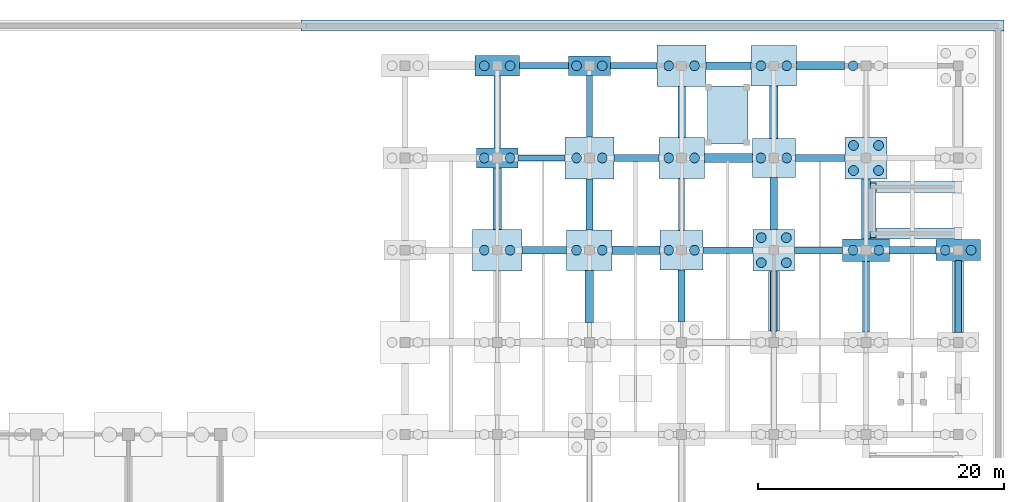
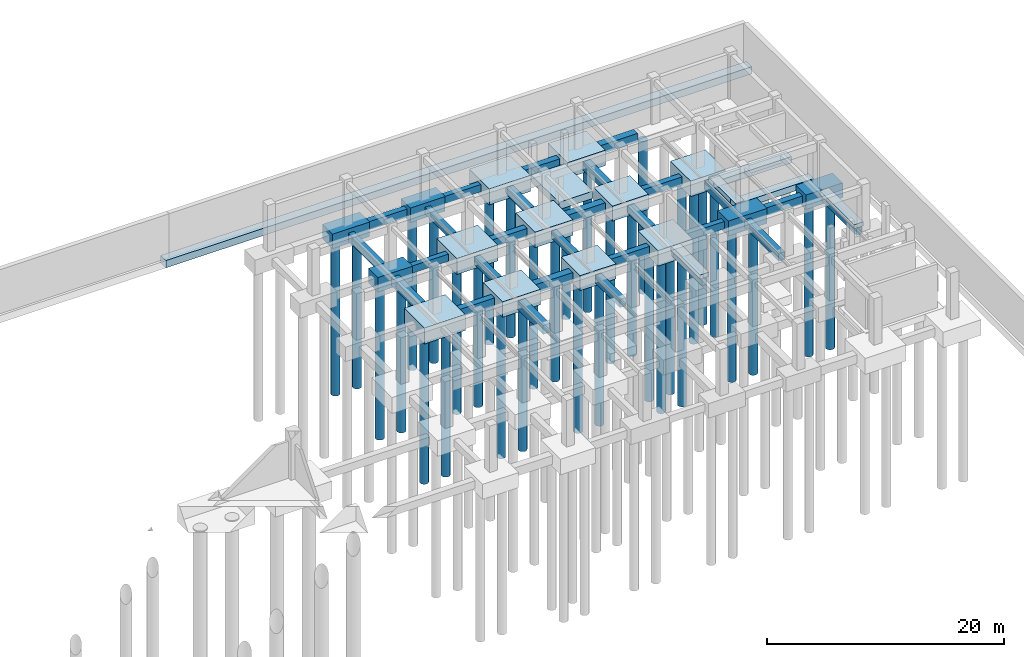
# One storey, part 12 of 38: 49 footings, 35 piles.
"""IFC4 building model written with IfcOpenShell, lengths in metres."""

from ifc_helpers import new_model, si_unit, direction, frame, origin, origin_2d, place, context, subcontext, project, spatial, polyline, rectangle, circle, outline, extrude, material, material_profile, profile_set, type_object, element, save


model = new_model("IFC4")

# Units and contexts
model_context = context("Model", 3, precision=1e-05, world=origin(), true_north=direction((0.0, 1.0)))
body_context = subcontext(model_context, "Body", "Model", "MODEL_VIEW")
ifc_project = project(units=[si_unit("LENGTHUNIT", "METRE"), si_unit("AREAUNIT", "SQUARE_METRE"), si_unit("VOLUMEUNIT", "CUBIC_METRE"), si_unit("PLANEANGLEUNIT", "RADIAN"), si_unit("MASSUNIT", "GRAM", prefix="KILO")], contexts=[model_context])

# Site, building, storey
site_placement = place(None, origin())
site = spatial("IfcSite", under=ifc_project, at=site_placement, CompositionType="ELEMENT")
building_placement = place(site_placement, origin())
building = spatial("IfcBuilding", under=site, at=building_placement, Name="Qasida Concert Hall", CompositionType="ELEMENT")
storey_placement = place(building_placement, frame((0.0, 0.0, -4.800048828125)))
storey = spatial("IfcBuildingStorey", under=building, at=storey_placement, Name="B1", CompositionType="ELEMENT", Elevation=-4.800048828125)

# Footings
ifc_material = material(Name="Concrete C40/50", Category="concrete")
footing_type_1 = type_object("IfcFootingType", Name="FT-GB-1", PredefinedType="FOOTING_BEAM", material=ifc_material)
footing_1_placement = place(storey_placement, frame((0.0, 0.0, -1.169921875)))
element("IfcFooting", 1, at=footing_1_placement, inside=storey, type_object=footing_type_1, Name="Ground tie beam GB-1 160", PredefinedType="FOOTING_BEAM", context=body_context, shape_type="SweptSolid", body=[
    extrude(outline(polyline([(151.699951171875, 97.25), (155.60009765625, 97.25), (155.60009765625, 97.75), (151.699951171875, 97.75), (151.699951171875, 97.25)])), origin(), (0.0, 0.0, 1.0), 0.75),
])
footing_2_placement = place(storey_placement, frame((0.0, 0.0, -1.169921875)))
element("IfcFooting", 2, at=footing_2_placement, inside=storey, type_object=footing_type_1, Name="Ground tie beam GB-1 168", PredefinedType="FOOTING_BEAM", context=body_context, shape_type="SweptSolid", body=[
    extrude(outline(polyline([(129.199951171875, 104.75), (133.0, 104.75), (133.0, 105.25), (129.199951171875, 105.25), (129.199951171875, 104.75)])), origin(), (0.0, 0.0, 1.0), 0.75),
])
footing_3_placement = place(storey_placement, frame((0.0, 0.0, -1.169921875)))
element("IfcFooting", 3, at=footing_3_placement, inside=storey, type_object=footing_type_1, Name="Ground tie beam GB-1 180", PredefinedType="FOOTING_BEAM", context=body_context, shape_type="SweptSolid", body=[
    extrude(outline(polyline([(136.699951171875, 112.25), (140.5, 112.25), (140.5, 112.75), (136.699951171875, 112.75), (136.699951171875, 112.25)])), origin(), (0.0, 0.0, 1.0), 0.75),
])
footing_4_placement = place(storey_placement, frame((0.0, 0.0, -1.169921875)))
element("IfcFooting", 4, at=footing_4_placement, inside=storey, type_object=footing_type_1, Name="Ground tie beam GB-1 328", PredefinedType="FOOTING_BEAM", context=body_context, shape_type="SweptSolid", body=[
    extrude(outline(polyline([(134.75, 106.699951171875), (135.25, 106.699951171875), (135.25, 111.699951171875), (134.75, 111.699951171875), (134.75, 106.699951171875)])), origin(), (0.0, 0.0, 1.0), 0.75),
])
footing_5_placement = place(storey_placement, frame((0.0, 0.0, -1.169921875)))
element("IfcFooting", 5, at=footing_5_placement, inside=storey, type_object=footing_type_1, Name="Ground tie beam GB-1 336", PredefinedType="FOOTING_BEAM", context=body_context, shape_type="SweptSolid", body=[
    extrude(outline(polyline([(142.25, 99.10009765625), (142.75, 99.10009765625), (142.75, 103.35009765625), (142.25, 103.35009765625), (142.25, 99.10009765625)])), origin(), (0.0, 0.0, 1.0), 0.75),
])
footing_6_placement = place(storey_placement, frame((0.0, 0.0, -1.169921875)))
element("IfcFooting", 6, at=footing_6_placement, inside=storey, type_object=footing_type_1, Name="Ground tie beam GB-1 344", PredefinedType="FOOTING_BEAM", context=body_context, shape_type="SweptSolid", body=[
    extrude(outline(polyline([(149.75, 90.89990234375), (150.25, 90.89990234375), (150.25, 95.800048828125), (149.75, 95.800048828125), (149.75, 90.89990234375)])), origin(), (0.0, 0.0, 1.0), 0.75),
])
footing_7_placement = place(storey_placement, frame((0.0, 0.0, -1.169921875)))
element("IfcFooting", 7, at=footing_7_placement, inside=storey, type_object=footing_type_1, Name="Ground tie beam GB-1 360", PredefinedType="FOOTING_BEAM", context=body_context, shape_type="SweptSolid", body=[
    extrude(outline(polyline([(164.75, 90.800048828125), (165.25, 90.800048828125), (165.25, 96.64990234375), (164.75, 96.64990234375), (164.75, 90.800048828125)])), origin(), (0.0, 0.0, 1.0), 0.75),
])
footing_type_2 = type_object("IfcFootingType", Name="FT-GB-2", PredefinedType="FOOTING_BEAM", material=ifc_material)
footing_8_placement = place(storey_placement, frame((0.0, 0.0, -1.219970703125)))
element("IfcFooting", 8, at=footing_8_placement, inside=storey, type_object=footing_type_2, Name="Ground tie beam GB-2 157", PredefinedType="FOOTING_BEAM", context=body_context, shape_type="SweptSolid", body=[
    extrude(outline(polyline([(129.5, 97.199951171875), (133.14990234375, 97.199951171875), (133.14990234375, 97.800048828125), (129.5, 97.800048828125), (129.5, 97.199951171875)])), origin(), (0.0, 0.0, 1.0), 0.800048828125),
])
footing_9_placement = place(storey_placement, frame((0.0, 0.0, -1.219970703125)))
element("IfcFooting", 9, at=footing_9_placement, inside=storey, type_object=footing_type_2, Name="Ground tie beam GB-2 161", PredefinedType="FOOTING_BEAM", context=body_context, shape_type="SweptSolid", body=[
    extrude(outline(polyline([(159.39990234375, 97.199951171875), (163.199951171875, 97.199951171875), (163.199951171875, 97.800048828125), (159.39990234375, 97.800048828125), (159.39990234375, 97.199951171875)])), origin(), (0.0, 0.0, 1.0), 0.800048828125),
])
footing_10_placement = place(storey_placement, frame((0.0, 0.0, -1.219970703125)))
element("IfcFooting", 10, at=footing_10_placement, inside=storey, type_object=footing_type_2, Name="Ground tie beam GB-2 169", PredefinedType="FOOTING_BEAM", context=body_context, shape_type="SweptSolid", body=[
    extrude(outline(polyline([(137.0, 104.699951171875), (140.64990234375, 104.699951171875), (140.64990234375, 105.300048828125), (137.0, 105.300048828125), (137.0, 104.699951171875)])), origin(), (0.0, 0.0, 1.0), 0.800048828125),
])
footing_11_placement = place(storey_placement, frame((0.0, 0.0, -1.219970703125)))
element("IfcFooting", 11, at=footing_11_placement, inside=storey, type_object=footing_type_2, Name="Ground tie beam GB-2 181", PredefinedType="FOOTING_BEAM", context=body_context, shape_type="SweptSolid", body=[
    extrude(outline(polyline([(144.5, 112.199951171875), (148.14990234375, 112.199951171875), (148.14990234375, 112.800048828125), (144.5, 112.800048828125), (144.5, 112.199951171875)])), origin(), (0.0, 0.0, 1.0), 0.800048828125),
])
footing_12_placement = place(storey_placement, frame((0.0, 0.0, -1.219970703125)))
element("IfcFooting", 12, at=footing_12_placement, inside=storey, type_object=footing_type_2, Name="Ground tie beam GB-2 337", PredefinedType="FOOTING_BEAM", context=body_context, shape_type="SweptSolid", body=[
    extrude(outline(polyline([(142.199951171875, 106.64990234375), (142.800048828125, 106.64990234375), (142.800048828125, 110.800048828125), (142.199951171875, 110.800048828125), (142.199951171875, 106.64990234375)])), origin(), (0.0, 0.0, 1.0), 0.800048828125),
])
footing_13_placement = place(storey_placement, frame((0.0, 0.0, -1.219970703125)))
element("IfcFooting", 13, at=footing_13_placement, inside=storey, type_object=footing_type_2, Name="Ground tie beam GB-2 345", PredefinedType="FOOTING_BEAM", context=body_context, shape_type="SweptSolid", body=[
    extrude(outline(polyline([(149.699951171875, 99.199951171875), (150.300048828125, 99.199951171875), (150.300048828125, 103.39990234375), (149.699951171875, 103.39990234375), (149.699951171875, 99.199951171875)])), origin(), (0.0, 0.0, 1.0), 0.800048828125),
])
footing_14_placement = place(storey_placement, frame((0.0, 0.0, -1.219970703125)))
element("IfcFooting", 14, at=footing_14_placement, inside=storey, type_object=footing_type_2, Name="Ground tie beam GB-2 353", PredefinedType="FOOTING_BEAM", context=body_context, shape_type="SweptSolid", body=[
    extrude(outline(polyline([(157.199951171875, 90.85009765625), (157.800048828125, 90.85009765625), (157.800048828125, 96.60009765625), (157.199951171875, 96.60009765625), (157.199951171875, 90.85009765625)])), origin(), (0.0, 0.0, 1.0), 0.800048828125),
])
footing_type_3 = type_object("IfcFootingType", Name="FT-GB-3", PredefinedType="FOOTING_BEAM", material=ifc_material)
footing_15_placement = place(storey_placement, frame((0.0, 0.0, -1.320068359375)))
element("IfcFooting", 15, at=footing_15_placement, inside=storey, type_object=footing_type_3, Name="Ground tie beam GB-3 158", PredefinedType="FOOTING_BEAM", context=body_context, shape_type="SweptSolid", body=[
    extrude(outline(polyline([(136.85009765625, 97.14990234375), (140.75, 97.14990234375), (140.75, 97.85009765625), (136.85009765625, 97.85009765625), (136.85009765625, 97.14990234375)])), origin(), (0.0, 0.0, 1.0), 0.900146484375),
])
footing_16_placement = place(storey_placement, frame((0.0, 0.0, -1.320068359375)))
element("IfcFooting", 16, at=footing_16_placement, inside=storey, type_object=footing_type_3, Name="Ground tie beam GB-3 170", PredefinedType="FOOTING_BEAM", context=body_context, shape_type="SweptSolid", body=[
    extrude(outline(polyline([(144.35009765625, 104.64990234375), (148.25, 104.64990234375), (148.25, 105.35009765625), (144.35009765625, 105.35009765625), (144.35009765625, 104.64990234375)])), origin(), (0.0, 0.0, 1.0), 0.900146484375),
])
footing_17_placement = place(storey_placement, frame((0.0, 0.0, -1.320068359375)))
element("IfcFooting", 17, at=footing_17_placement, inside=storey, type_object=footing_type_3, Name="Ground tie beam GB-3 182", PredefinedType="FOOTING_BEAM", context=body_context, shape_type="SweptSolid", body=[
    extrude(outline(polyline([(151.85009765625, 112.14990234375), (155.75, 112.14990234375), (155.75, 112.85009765625), (151.85009765625, 112.85009765625), (151.85009765625, 112.14990234375)])), origin(), (0.0, 0.0, 1.0), 0.900146484375),
])
footing_18_placement = place(storey_placement, frame((0.0, 0.0, -1.320068359375)))
element("IfcFooting", 18, at=footing_18_placement, inside=storey, type_object=footing_type_3, Name="Ground tie beam GB-3 318", PredefinedType="FOOTING_BEAM", context=body_context, shape_type="SweptSolid", body=[
    extrude(outline(polyline([(127.14990234375, 99.199951171875), (127.85009765625, 99.199951171875), (127.85009765625, 104.199951171875), (127.14990234375, 104.199951171875), (127.14990234375, 99.199951171875)])), origin(), (0.0, 0.0, 1.0), 0.900146484375),
])
footing_19_placement = place(storey_placement, frame((0.0, 0.0, -1.320068359375)))
element("IfcFooting", 19, at=footing_19_placement, inside=storey, type_object=footing_type_3, Name="Ground tie beam GB-3 326", PredefinedType="FOOTING_BEAM", context=body_context, shape_type="SweptSolid", body=[
    extrude(outline(polyline([(134.64990234375, 91.60009765625), (135.35009765625, 91.60009765625), (135.35009765625, 95.85009765625), (134.64990234375, 95.85009765625), (134.64990234375, 91.60009765625)])), origin(), (0.0, 0.0, 1.0), 0.900146484375),
])
footing_20_placement = place(storey_placement, frame((0.0, 0.0, -1.320068359375)))
element("IfcFooting", 20, at=footing_20_placement, inside=storey, type_object=footing_type_3, Name="Ground tie beam GB-3 346", PredefinedType="FOOTING_BEAM", context=body_context, shape_type="SweptSolid", body=[
    extrude(outline(polyline([(149.64990234375, 106.60009765625), (150.35009765625, 106.60009765625), (150.35009765625, 110.85009765625), (149.64990234375, 110.85009765625), (149.64990234375, 106.60009765625)])), origin(), (0.0, 0.0, 1.0), 0.900146484375),
])
footing_21_placement = place(storey_placement, frame((0.0, 0.0, -1.320068359375)))
element("IfcFooting", 21, at=footing_21_placement, inside=storey, type_object=footing_type_3, Name="Ground tie beam GB-3 354", PredefinedType="FOOTING_BEAM", context=body_context, shape_type="SweptSolid", body=[
    extrude(outline(polyline([(157.14990234375, 98.39990234375), (157.85009765625, 98.39990234375), (157.85009765625, 103.300048828125), (157.14990234375, 103.300048828125), (157.14990234375, 98.39990234375)])), origin(), (0.0, 0.0, 1.0), 0.900146484375),
])
footing_type_4 = type_object("IfcFootingType", Name="FT-GB-4", PredefinedType="FOOTING_BEAM", material=ifc_material)
footing_22_placement = place(storey_placement, frame((0.0, 0.0, -1.27001953125)))
element("IfcFooting", 22, at=footing_22_placement, inside=storey, type_object=footing_type_4, Name="Ground tie beam GB-4 159", PredefinedType="FOOTING_BEAM", context=body_context, shape_type="SweptSolid", body=[
    extrude(outline(polyline([(144.25, 97.22509765625), (148.300048828125, 97.22509765625), (148.300048828125, 97.77490234375), (144.25, 97.77490234375), (144.25, 97.22509765625)])), origin(), (0.0, 0.0, 1.0), 0.85009765625),
])
footing_23_placement = place(storey_placement, frame((0.0, 0.0, -1.27001953125)))
element("IfcFooting", 23, at=footing_23_placement, inside=storey, type_object=footing_type_4, Name="Ground tie beam GB-4 171", PredefinedType="FOOTING_BEAM", context=body_context, shape_type="SweptSolid", body=[
    extrude(outline(polyline([(151.75, 104.72509765625), (155.800048828125, 104.72509765625), (155.800048828125, 105.27490234375), (151.75, 105.27490234375), (151.75, 104.72509765625)])), origin(), (0.0, 0.0, 1.0), 0.85009765625),
])
footing_24_placement = place(storey_placement, frame((0.0, 0.0, -1.27001953125)))
element("IfcFooting", 24, at=footing_24_placement, inside=storey, type_object=footing_type_4, Name="Ground tie beam GB-4 179", PredefinedType="FOOTING_BEAM", context=body_context, shape_type="SweptSolid", body=[
    extrude(outline(polyline([(129.300048828125, 112.22509765625), (133.300048828125, 112.22509765625), (133.300048828125, 112.77490234375), (129.300048828125, 112.77490234375), (129.300048828125, 112.22509765625)])), origin(), (0.0, 0.0, 1.0), 0.85009765625),
])
footing_25_placement = place(storey_placement, frame((0.0, 0.0, -1.27001953125)))
element("IfcFooting", 25, at=footing_25_placement, inside=storey, type_object=footing_type_4, Name="Ground tie beam GB-4 319", PredefinedType="FOOTING_BEAM", context=body_context, shape_type="SweptSolid", body=[
    extrude(outline(polyline([(127.22509765625, 105.800048828125), (127.77490234375, 105.800048828125), (127.77490234375, 111.64990234375), (127.22509765625, 111.64990234375), (127.22509765625, 105.800048828125)])), origin(), (0.0, 0.0, 1.0), 0.85009765625),
])
footing_26_placement = place(storey_placement, frame((0.0, 0.0, -1.27001953125)))
element("IfcFooting", 26, at=footing_26_placement, inside=storey, type_object=footing_type_4, Name="Ground tie beam GB-4 327", PredefinedType="FOOTING_BEAM", context=body_context, shape_type="SweptSolid", body=[
    extrude(outline(polyline([(134.72509765625, 99.14990234375), (135.27490234375, 99.14990234375), (135.27490234375, 103.300048828125), (134.72509765625, 103.300048828125), (134.72509765625, 99.14990234375)])), origin(), (0.0, 0.0, 1.0), 0.85009765625),
])
footing_27_placement = place(storey_placement, frame((0.0, 0.0, -1.27001953125)))
element("IfcFooting", 27, at=footing_27_placement, inside=storey, type_object=footing_type_4, Name="Ground tie beam GB-4 335", PredefinedType="FOOTING_BEAM", context=body_context, shape_type="SweptSolid", body=[
    extrude(outline(polyline([(142.22509765625, 91.699951171875), (142.77490234375, 91.699951171875), (142.77490234375, 95.89990234375), (142.22509765625, 95.89990234375), (142.22509765625, 91.699951171875)])), origin(), (0.0, 0.0, 1.0), 0.85009765625),
])
footing_type_5 = type_object("IfcFootingType", Name="FT-PC-2C", PredefinedType="PILE_CAP", material=ifc_material)
for number, where, z_axis, x_axis, name in (
    (28, (127.5, 105.0, -1.5), (0.0, 0.0, 1.0), (1.0, 0.0, 0.0), "Pile cap PC-2C 147"),
    (29, (135.0, 112.5, -1.5), (0.0, 0.0, 1.0), (1.0, 0.0, 0.0), "Pile cap PC-2C 154"),
):
    element("IfcFooting", number, at=place(storey_placement, frame(where, z_axis=z_axis, x_axis=x_axis)), inside=storey, type_object=footing_type_5, Name=name, PredefinedType="PILE_CAP", context=body_context, shape_type="SweptSolid", body=[
        extrude(rectangle(XDim=3.39990234375, YDim=1.60009765625, at=origin_2d()), origin(), (0.0, 0.0, 1.0), 1.5),
    ])
footing_type_6 = type_object("IfcFootingType", Name="FT-PC-2D", PredefinedType="PILE_CAP", material=ifc_material)
for number, where, z_axis, x_axis, name in (
    (30, (127.5, 112.5, -1.5), (0.0, 0.0, 1.0), (1.0, 0.0, 0.0), "Pile cap PC-2D 148"),
    (31, (165.0, 97.5, -1.5), (0.0, 0.0, 1.0), (1.0, 0.0, 0.0), "Pile cap PC-2D 176"),
):
    element("IfcFooting", number, at=place(storey_placement, frame(where, z_axis=z_axis, x_axis=x_axis)), inside=storey, type_object=footing_type_6, Name=name, PredefinedType="PILE_CAP", context=body_context, shape_type="SweptSolid", body=[
        extrude(rectangle(XDim=3.60009765625, YDim=1.699951171875, at=origin_2d()), origin(), (0.0, 0.0, 1.0), 1.5),
    ])
footing_type_7 = type_object("IfcFootingType", Name="FT-PC-2E", PredefinedType="PILE_CAP", material=ifc_material)
footing_28_placement = place(storey_placement, frame((157.5, 97.5, -1.5498046875), z_axis=(0.0, 0.0, 1.0), x_axis=(1.0, 0.0, 0.0)))
element("IfcFooting", 32, at=footing_28_placement, inside=storey, type_object=footing_type_7, Name="Pile cap PC-2E 170", PredefinedType="PILE_CAP", context=body_context, shape_type="SweptSolid", body=[
    extrude(rectangle(XDim=3.800048828125, YDim=1.800048828125, at=origin_2d()), origin(), (0.0, 0.0, 1.0), 1.550048828125),
])
footing_type_8 = type_object("IfcFootingType", Name="FT-PC-3B", PredefinedType="PILE_CAP", material=ifc_material)
for number, where, z_axis, x_axis, name in (
    (33, (142.5, 97.5, -1.5498046875), (0.0, 0.0, 1.0), (1.0, 0.0, 0.0), "Pile cap PC-3B 158"),
    (34, (150.0, 105.0, -1.5498046875), (0.0, 0.0, 1.0), (1.0, 0.0, 0.0), "Pile cap PC-3B 165"),
):
    element("IfcFooting", number, at=place(storey_placement, frame(where, z_axis=z_axis, x_axis=x_axis)), inside=storey, type_object=footing_type_8, Name=name, PredefinedType="PILE_CAP", context=body_context, shape_type="SweptSolid", body=[
        extrude(rectangle(XDim=3.5, YDim=3.199951171875, at=origin_2d()), origin(), (0.0, 0.0, 1.0), 1.550048828125),
    ])
footing_type_9 = type_object("IfcFootingType", Name="FT-PC-3C", PredefinedType="PILE_CAP", material=ifc_material)
for number, where, z_axis, x_axis, name in (
    (35, (135.0, 97.5, -1.60009765625), (0.0, 0.0, 1.0), (1.0, 0.0, 0.0), "Pile cap PC-3C 152"),
    (36, (142.5, 105.0, -1.60009765625), (0.0, 0.0, 1.0), (1.0, 0.0, 0.0), "Pile cap PC-3C 159"),
    (37, (150.0, 112.5, -1.60009765625), (0.0, 0.0, 1.0), (1.0, 0.0, 0.0), "Pile cap PC-3C 166"),
):
    element("IfcFooting", number, at=place(storey_placement, frame(where, z_axis=z_axis, x_axis=x_axis)), inside=storey, type_object=footing_type_9, Name=name, PredefinedType="PILE_CAP", context=body_context, shape_type="SweptSolid", body=[
        extrude(rectangle(XDim=3.699951171875, YDim=3.300048828125, at=origin_2d()), origin(), (0.0, 0.0, 1.0), 1.60009765625),
    ])
footing_type_10 = type_object("IfcFootingType", Name="FT-PC-4B", PredefinedType="PILE_CAP", material=ifc_material)
for number, where, z_axis, x_axis, name in (
    (38, (150.0, 97.5, -1.60009765625), (0.0, 0.0, 1.0), (1.0, 0.0, 0.0), "Pile cap PC-4B 164"),
    (39, (157.5, 105.0, -1.60009765625), (0.0, 0.0, 1.0), (1.0, 0.0, 0.0), "Pile cap PC-4B 171"),
):
    element("IfcFooting", number, at=place(storey_placement, frame(where, z_axis=z_axis, x_axis=x_axis)), inside=storey, type_object=footing_type_10, Name=name, PredefinedType="PILE_CAP", context=body_context, shape_type="SweptSolid", body=[
        extrude(rectangle(XDim=3.39990234375, YDim=3.39990234375, at=origin_2d()), origin(), (0.0, 0.0, 1.0), 1.60009765625),
    ])
footing_type_11 = type_object("IfcFootingType", Name="FT-PC-4E", PredefinedType="PILE_CAP", material=ifc_material)
for number, where, z_axis, x_axis, name in (
    (40, (127.5, 97.5, -1.64990234375), (0.0, 0.0, 1.0), (1.0, 0.0, 0.0), "Pile cap PC-4E 146"),
    (41, (135.0, 105.0, -1.64990234375), (0.0, 0.0, 1.0), (1.0, 0.0, 0.0), "Pile cap PC-4E 153"),
    (42, (142.5, 112.5, -1.64990234375), (0.0, 0.0, 1.0), (1.0, 0.0, 0.0), "Pile cap PC-4E 160"),
):
    element("IfcFooting", number, at=place(storey_placement, frame(where, z_axis=z_axis, x_axis=x_axis)), inside=storey, type_object=footing_type_11, Name=name, PredefinedType="PILE_CAP", context=body_context, shape_type="SweptSolid", body=[
        extrude(rectangle(XDim=4.0, YDim=3.39990234375, at=origin_2d()), origin(), (0.0, 0.0, 1.0), 1.64990234375),
    ])
footing_type_12 = type_object("IfcFootingType", Name="FT-PF-6B", PredefinedType="PAD_FOOTING", material=ifc_material)
footing_29_placement = place(storey_placement, frame((0.0, 0.0, -0.75)))
element("IfcFooting", 43, at=footing_29_placement, inside=storey, type_object=footing_type_12, Name="Lift pit foundation LF-10", PredefinedType="PAD_FOOTING", context=body_context, shape_type="SweptSolid", body=[
    extrude(outline(polyline([(144.60009765625, 106.14990234375), (147.89990234375, 106.14990234375), (147.89990234375, 110.85009765625), (144.60009765625, 110.85009765625), (144.60009765625, 106.14990234375)])), origin(), (0.0, 0.0, 1.0), 0.75),
])
footing_type_13 = type_object("IfcFootingType", Name="FT-SF-1A", PredefinedType="STRIP_FOOTING", material=ifc_material)
footing_30_placement = place(storey_placement, frame((0.0, 0.0, -0.419921875)))
element("IfcFooting", 44, at=footing_30_placement, inside=storey, type_object=footing_type_13, Name="Strip footing SF-1A RW011-A", PredefinedType="STRIP_FOOTING", context=body_context, shape_type="SweptSolid", body=[
    extrude(outline(polyline([(164.550048828125, 90.820068359375), (165.449951171875, 90.820068359375), (165.449951171875, 96.6298828125), (164.550048828125, 96.6298828125), (164.550048828125, 90.820068359375)])), origin(), (0.0, 0.0, 1.0), 0.419921875),
])
footing_31_placement = place(storey_placement, frame((0.0, 0.0, -0.419921875)))
element("IfcFooting", 45, at=footing_31_placement, inside=storey, type_object=footing_type_13, Name="Strip footing SF-1A SW0006", PredefinedType="STRIP_FOOTING", context=body_context, shape_type="SweptSolid", body=[
    extrude(outline(polyline([(149.550048828125, 90.919921875), (150.449951171875, 90.919921875), (150.449951171875, 95.780029296875), (149.550048828125, 95.780029296875), (149.550048828125, 90.919921875)])), origin(), (0.0, 0.0, 1.0), 0.419921875),
])
footing_type_14 = type_object("IfcFootingType", Name="FT-SF-1B", PredefinedType="STRIP_FOOTING", material=ifc_material)
footing_32_placement = place(storey_placement, frame((0.0, 0.0, -0.64990234375)))
element("IfcFooting", 46, at=footing_32_placement, inside=storey, type_object=footing_type_14, Name="B1 ST-08 core strip footing S", PredefinedType="STRIP_FOOTING", context=body_context, shape_type="SweptSolid", body=[
    extrude(outline(polyline([(157.39990234375, 98.425048828125), (165.0, 98.425048828125), (165.0, 99.324951171875), (157.39990234375, 99.324951171875), (157.39990234375, 98.425048828125)])), origin(), (0.0, 0.0, 1.0), 0.64990234375),
])
footing_33_placement = place(storey_placement, frame((0.0, 0.0, -0.64990234375)))
element("IfcFooting", 47, at=footing_33_placement, inside=storey, type_object=footing_type_14, Name="B1 ST-08 core strip footing N", PredefinedType="STRIP_FOOTING", context=body_context, shape_type="SweptSolid", body=[
    extrude(outline(polyline([(157.39990234375, 102.175048828125), (165.0, 102.175048828125), (165.0, 103.074951171875), (157.39990234375, 103.074951171875), (157.39990234375, 102.175048828125)])), origin(), (0.0, 0.0, 1.0), 0.64990234375),
])
footing_34_placement = place(storey_placement, frame((0.0, 0.0, -0.64990234375)))
element("IfcFooting", 48, at=footing_34_placement, inside=storey, type_object=footing_type_14, Name="B1 ST-08 core strip footing W", PredefinedType="STRIP_FOOTING", context=body_context, shape_type="SweptSolid", body=[
    extrude(outline(polyline([(157.405029296875, 98.550048828125), (158.304931640625, 98.550048828125), (158.304931640625, 102.949951171875), (157.405029296875, 102.949951171875), (157.405029296875, 98.550048828125)])), origin(), (0.0, 0.0, 1.0), 0.64990234375),
])
footing_type_15 = type_object("IfcFootingType", Name="FT-SF-2A", PredefinedType="STRIP_FOOTING", material=ifc_material)
footing_35_placement = place(storey_placement, frame((0.0, 0.0, -0.75)))
element("IfcFooting", 49, at=footing_35_placement, inside=storey, type_object=footing_type_15, Name="B1 plaza plinth strip footing PLW-N3", PredefinedType="STRIP_FOOTING", context=body_context, shape_type="SweptSolid", body=[
    extrude(outline(polyline([(111.550048828125, 115.324951171875), (168.72509765625, 115.324951171875), (168.72509765625, 116.22509765625), (111.550048828125, 116.22509765625), (111.550048828125, 115.324951171875)])), origin(), (0.0, 0.0, 1.0), 0.75),
])

# Piles
ifc_material_profile = material_profile(ifc_material, circle(Radius=0.39990234375, at=origin_2d()), Name="BORED PILE D800")
ifc_profile_set = profile_set([ifc_material_profile], Name="Concrete C40/50")
pile_type = type_object("IfcPileType", Name="PL-BORED-800", PredefinedType="BORED", material=ifc_profile_set)
for number, where, z_axis, x_axis, name in (
    (50, (126.449951171875, 97.5, -1.550048828125), (0.0, 0.0, -1.0), (1.0, 0.0, 0.0), "Bored pile 0333"),
    (51, (128.550048828125, 97.5, -1.550048828125), (0.0, 0.0, -1.0), (1.0, 0.0, 0.0), "Bored pile 0334"),
):
    element("IfcPile", number, at=place(storey_placement, frame(where, z_axis=z_axis, x_axis=x_axis)), inside=storey, type_object=pile_type, Name=name, PredefinedType="BORED", context=body_context, shape_type="SweptSolid", body=[
        extrude(circle(Radius=0.39990234375, at=origin_2d()), origin(), (0.0, 0.0, 1.0), 15.64990234375),
    ])
for number, where, z_axis, x_axis, name in (
    (52, (126.449951171875, 105.0, -1.39990234375), (0.0, 0.0, -1.0), (1.0, 0.0, 0.0), "Bored pile 0335"),
    (53, (128.550048828125, 105.0, -1.39990234375), (0.0, 0.0, -1.0), (1.0, 0.0, 0.0), "Bored pile 0336"),
    (54, (126.449951171875, 112.5, -1.39990234375), (0.0, 0.0, -1.0), (1.0, 0.0, 0.0), "Bored pile 0337"),
    (55, (128.550048828125, 112.5, -1.39990234375), (0.0, 0.0, -1.0), (1.0, 0.0, 0.0), "Bored pile 0338"),
):
    element("IfcPile", number, at=place(storey_placement, frame(where, z_axis=z_axis, x_axis=x_axis)), inside=storey, type_object=pile_type, Name=name, PredefinedType="BORED", context=body_context, shape_type="SweptSolid", body=[
        extrude(circle(Radius=0.39990234375, at=origin_2d()), origin(), (0.0, 0.0, 1.0), 15.800048828125),
    ])
for number, where, z_axis, x_axis, name in (
    (56, (133.949951171875, 97.5, -1.5), (0.0, 0.0, -1.0), (1.0, 0.0, 0.0), "Bored pile 0347"),
    (57, (136.050048828125, 97.5, -1.5), (0.0, 0.0, -1.0), (1.0, 0.0, 0.0), "Bored pile 0348"),
):
    element("IfcPile", number, at=place(storey_placement, frame(where, z_axis=z_axis, x_axis=x_axis)), inside=storey, type_object=pile_type, Name=name, PredefinedType="BORED", context=body_context, shape_type="SweptSolid", body=[
        extrude(circle(Radius=0.39990234375, at=origin_2d()), origin(), (0.0, 0.0, 1.0), 15.699951171875),
    ])
for number, where, z_axis, x_axis, name in (
    (58, (133.949951171875, 105.0, -1.550048828125), (0.0, 0.0, -1.0), (1.0, 0.0, 0.0), "Bored pile 0349"),
    (59, (136.050048828125, 105.0, -1.550048828125), (0.0, 0.0, -1.0), (1.0, 0.0, 0.0), "Bored pile 0350"),
):
    element("IfcPile", number, at=place(storey_placement, frame(where, z_axis=z_axis, x_axis=x_axis)), inside=storey, type_object=pile_type, Name=name, PredefinedType="BORED", context=body_context, shape_type="SweptSolid", body=[
        extrude(circle(Radius=0.39990234375, at=origin_2d()), origin(), (0.0, 0.0, 1.0), 15.64990234375),
    ])
for number, where, z_axis, x_axis, name in (
    (60, (133.949951171875, 112.5, -1.39990234375), (0.0, 0.0, -1.0), (1.0, 0.0, 0.0), "Bored pile 0351"),
    (61, (136.050048828125, 112.5, -1.39990234375), (0.0, 0.0, -1.0), (1.0, 0.0, 0.0), "Bored pile 0352"),
):
    element("IfcPile", number, at=place(storey_placement, frame(where, z_axis=z_axis, x_axis=x_axis)), inside=storey, type_object=pile_type, Name=name, PredefinedType="BORED", context=body_context, shape_type="SweptSolid", body=[
        extrude(circle(Radius=0.39990234375, at=origin_2d()), origin(), (0.0, 0.0, 1.0), 15.800048828125),
    ])
for number, where, z_axis, x_axis, name in (
    (62, (141.449951171875, 97.5, -1.449951171875), (0.0, 0.0, -1.0), (1.0, 0.0, 0.0), "Bored pile 0361"),
    (63, (143.550048828125, 97.5, -1.449951171875), (0.0, 0.0, -1.0), (1.0, 0.0, 0.0), "Bored pile 0362"),
):
    element("IfcPile", number, at=place(storey_placement, frame(where, z_axis=z_axis, x_axis=x_axis)), inside=storey, type_object=pile_type, Name=name, PredefinedType="BORED", context=body_context, shape_type="SweptSolid", body=[
        extrude(circle(Radius=0.39990234375, at=origin_2d()), origin(), (0.0, 0.0, 1.0), 15.75),
    ])
for number, where, z_axis, x_axis, name in (
    (64, (141.449951171875, 105.0, -1.5), (0.0, 0.0, -1.0), (1.0, 0.0, 0.0), "Bored pile 0363"),
    (65, (143.550048828125, 105.0, -1.5), (0.0, 0.0, -1.0), (1.0, 0.0, 0.0), "Bored pile 0364"),
):
    element("IfcPile", number, at=place(storey_placement, frame(where, z_axis=z_axis, x_axis=x_axis)), inside=storey, type_object=pile_type, Name=name, PredefinedType="BORED", context=body_context, shape_type="SweptSolid", body=[
        extrude(circle(Radius=0.39990234375, at=origin_2d()), origin(), (0.0, 0.0, 1.0), 15.699951171875),
    ])
for number, where, z_axis, x_axis, name in (
    (66, (141.449951171875, 112.5, -1.550048828125), (0.0, 0.0, -1.0), (1.0, 0.0, 0.0), "Bored pile 0365"),
    (67, (143.550048828125, 112.5, -1.550048828125), (0.0, 0.0, -1.0), (1.0, 0.0, 0.0), "Bored pile 0366"),
):
    element("IfcPile", number, at=place(storey_placement, frame(where, z_axis=z_axis, x_axis=x_axis)), inside=storey, type_object=pile_type, Name=name, PredefinedType="BORED", context=body_context, shape_type="SweptSolid", body=[
        extrude(circle(Radius=0.39990234375, at=origin_2d()), origin(), (0.0, 0.0, 1.0), 15.64990234375),
    ])
for number, where, z_axis, x_axis, name in (
    (68, (148.97998046875, 96.47998046875, -1.5), (0.0, 0.0, -1.0), (1.0, 0.0, 0.0), "Bored pile 0373"),
    (69, (151.02001953125, 96.47998046875, -1.5), (0.0, 0.0, -1.0), (1.0, 0.0, 0.0), "Bored pile 0374"),
    (70, (148.97998046875, 98.52001953125, -1.5), (0.0, 0.0, -1.0), (1.0, 0.0, 0.0), "Bored pile 0375"),
    (71, (151.02001953125, 98.52001953125, -1.5), (0.0, 0.0, -1.0), (1.0, 0.0, 0.0), "Bored pile 0376"),
):
    element("IfcPile", number, at=place(storey_placement, frame(where, z_axis=z_axis, x_axis=x_axis)), inside=storey, type_object=pile_type, Name=name, PredefinedType="BORED", context=body_context, shape_type="SweptSolid", body=[
        extrude(circle(Radius=0.39990234375, at=origin_2d()), origin(), (0.0, 0.0, 1.0), 15.699951171875),
    ])
for number, where, z_axis, x_axis, name in (
    (72, (148.949951171875, 105.0, -1.449951171875), (0.0, 0.0, -1.0), (1.0, 0.0, 0.0), "Bored pile 0377"),
    (73, (151.050048828125, 105.0, -1.449951171875), (0.0, 0.0, -1.0), (1.0, 0.0, 0.0), "Bored pile 0378"),
):
    element("IfcPile", number, at=place(storey_placement, frame(where, z_axis=z_axis, x_axis=x_axis)), inside=storey, type_object=pile_type, Name=name, PredefinedType="BORED", context=body_context, shape_type="SweptSolid", body=[
        extrude(circle(Radius=0.39990234375, at=origin_2d()), origin(), (0.0, 0.0, 1.0), 15.75),
    ])
for number, where, z_axis, x_axis, name in (
    (74, (148.949951171875, 112.5, -1.5), (0.0, 0.0, -1.0), (1.0, 0.0, 0.0), "Bored pile 0379"),
    (75, (151.050048828125, 112.5, -1.5), (0.0, 0.0, -1.0), (1.0, 0.0, 0.0), "Bored pile 0380"),
):
    element("IfcPile", number, at=place(storey_placement, frame(where, z_axis=z_axis, x_axis=x_axis)), inside=storey, type_object=pile_type, Name=name, PredefinedType="BORED", context=body_context, shape_type="SweptSolid", body=[
        extrude(circle(Radius=0.39990234375, at=origin_2d()), origin(), (0.0, 0.0, 1.0), 15.699951171875),
    ])
for number, where, z_axis, x_axis, name in (
    (76, (156.449951171875, 97.5, -1.449951171875), (0.0, 0.0, -1.0), (1.0, 0.0, 0.0), "Bored pile 0387"),
    (77, (158.550048828125, 97.5, -1.449951171875), (0.0, 0.0, -1.0), (1.0, 0.0, 0.0), "Bored pile 0388"),
):
    element("IfcPile", number, at=place(storey_placement, frame(where, z_axis=z_axis, x_axis=x_axis)), inside=storey, type_object=pile_type, Name=name, PredefinedType="BORED", context=body_context, shape_type="SweptSolid", body=[
        extrude(circle(Radius=0.39990234375, at=origin_2d()), origin(), (0.0, 0.0, 1.0), 15.75),
    ])
for number, where, z_axis, x_axis, name in (
    (78, (156.47998046875, 103.97998046875, -1.5), (0.0, 0.0, -1.0), (1.0, 0.0, 0.0), "Bored pile 0389"),
    (79, (158.52001953125, 103.97998046875, -1.5), (0.0, 0.0, -1.0), (1.0, 0.0, 0.0), "Bored pile 0390"),
    (80, (156.47998046875, 106.02001953125, -1.5), (0.0, 0.0, -1.0), (1.0, 0.0, 0.0), "Bored pile 0391"),
    (81, (158.52001953125, 106.02001953125, -1.5), (0.0, 0.0, -1.0), (1.0, 0.0, 0.0), "Bored pile 0392"),
):
    element("IfcPile", number, at=place(storey_placement, frame(where, z_axis=z_axis, x_axis=x_axis)), inside=storey, type_object=pile_type, Name=name, PredefinedType="BORED", context=body_context, shape_type="SweptSolid", body=[
        extrude(circle(Radius=0.39990234375, at=origin_2d()), origin(), (0.0, 0.0, 1.0), 15.699951171875),
    ])
pile_placement = place(storey_placement, frame((156.449951171875, 112.5, -1.449951171875), z_axis=(0.0, 0.0, -1.0), x_axis=(1.0, 0.0, 0.0)))
element("IfcPile", 82, at=pile_placement, inside=storey, type_object=pile_type, Name="Bored pile 0393", PredefinedType="BORED", context=body_context, shape_type="SweptSolid", body=[
    extrude(circle(Radius=0.39990234375, at=origin_2d()), origin(), (0.0, 0.0, 1.0), 15.75),
])
for number, where, z_axis, x_axis, name in (
    (83, (163.949951171875, 97.5, -1.39990234375), (0.0, 0.0, -1.0), (1.0, 0.0, 0.0), "Bored pile 0401"),
    (84, (166.050048828125, 97.5, -1.39990234375), (0.0, 0.0, -1.0), (1.0, 0.0, 0.0), "Bored pile 0402"),
):
    element("IfcPile", number, at=place(storey_placement, frame(where, z_axis=z_axis, x_axis=x_axis)), inside=storey, type_object=pile_type, Name=name, PredefinedType="BORED", context=body_context, shape_type="SweptSolid", body=[
        extrude(circle(Radius=0.39990234375, at=origin_2d()), origin(), (0.0, 0.0, 1.0), 15.800048828125),
    ])

save(model, "model.ifc")
